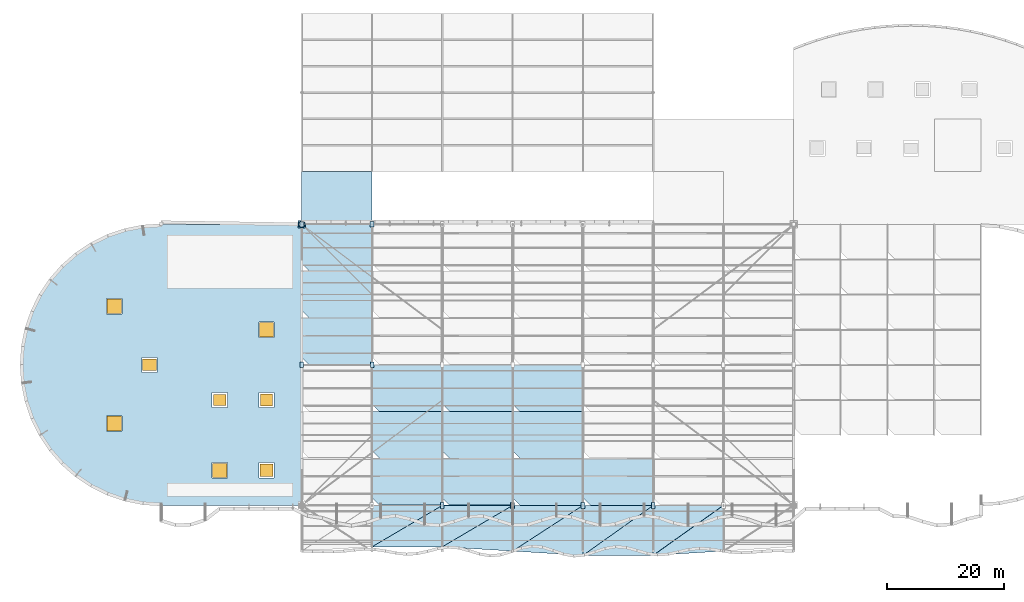
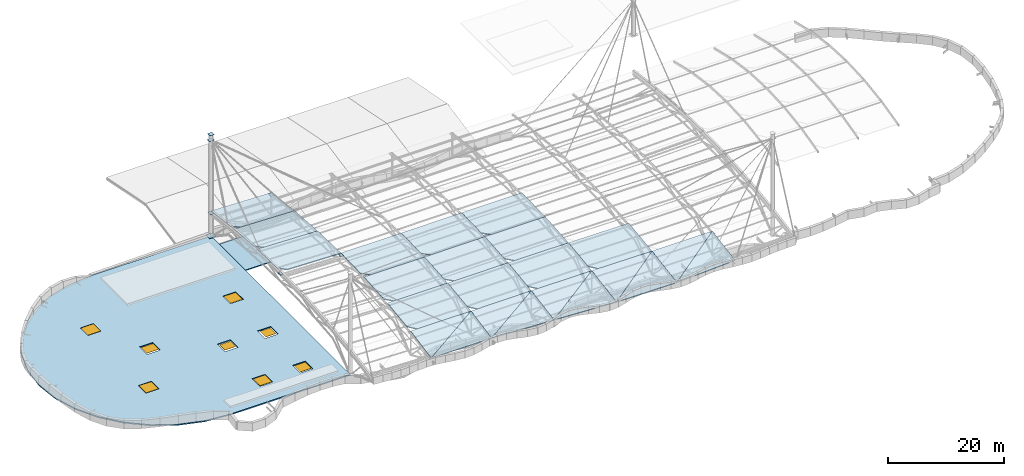
"""IFC4 building model written with IfcOpenShell, lengths in metres."""

import ifcopenshell
import ifcopenshell.guid

model = None  # the IFC model being written
_history = None  # IfcOwnerHistory: only IFC2X3 demands one
_inside = {}  # id of a spatial element -> (the spatial element, [elements in it])
_under = {}  # id of a project, library or spatial element -> (it, [spatial elements below it])
_declared = {}  # id of a project -> (the project, [libraries it declares])
_typed = {}  # id of a type object -> (the type object, [elements of that type])
_made_of = {}  # id of a material, layer set ... -> (it, [elements and type objects made of it])


def new_model(schema):
    """Start an empty IFC model of exactly this schema.

    Asked for "IFC4X3", IfcOpenShell would pick the latest addendum, in which some entities
    have other attributes; the version numbers below select the first issue.
    IFC2X3 requires an IfcOwnerHistory on every rooted entity: one is made here for all.
    """
    global model, _history
    if schema == "IFC4X3":
        model = ifcopenshell.file(schema_version=(4, 3, 0, 0))
    else:
        model = ifcopenshell.file(schema=schema)
    _inside.clear()
    _under.clear()
    _declared.clear()
    _typed.clear()
    _made_of.clear()
    _history = None
    if model.schema == "IFC2X3":
        org = make("IfcOrganization", Name="unknown")
        user = make(
            "IfcPersonAndOrganization",
            ThePerson=make("IfcPerson", FamilyName="unknown"),
            TheOrganization=org,
        )
        app = make(
            "IfcApplication",
            ApplicationDeveloper=org,
            Version="unknown",
            ApplicationFullName="unknown",
            ApplicationIdentifier="unknown",
        )
        _history = make(
            "IfcOwnerHistory",
            OwningUser=user,
            OwningApplication=app,
            ChangeAction="ADDED",
            CreationDate=0,
        )
    return model


def make(cls, **values):
    """One entity of the class cls with the attributes given. An attribute that is None is left unset."""
    return model.create_entity(
        cls, **{name: value for name, value in values.items() if value is not None}
    )


def rooted(cls, **values):
    """An entity with a GlobalId (a new one), such as an element, a storey or a relation."""
    return make(cls, GlobalId=ifcopenshell.guid.new(), OwnerHistory=_history, **values)


def si_unit(unit_type, name, prefix=None):
    """IfcSIUnit, for example si_unit("LENGTHUNIT", "METRE", prefix="MILLI")."""
    return make("IfcSIUnit", UnitType=unit_type, Prefix=prefix, Name=name)


def assignment(units):
    """IfcUnitAssignment: the units of a project."""
    return None if units is None else make("IfcUnitAssignment", Units=units)


def point(xyz):
    """IfcCartesianPoint."""
    return None if xyz is None else make("IfcCartesianPoint", Coordinates=xyz)


def direction(xyz):
    """IfcDirection."""
    return None if xyz is None else make("IfcDirection", DirectionRatios=xyz)


def frame(location, z_axis=None, x_axis=None):
    """IfcAxis2Placement3D, a coordinate frame: its origin and axes. An axis left out is left unset."""
    return make(
        "IfcAxis2Placement3D",
        Location=point(location),
        Axis=direction(z_axis),
        RefDirection=direction(x_axis),
    )


def frame_2d(location, x_axis=None):
    """IfcAxis2Placement2D, a coordinate frame in the plane: its origin and x axis."""
    return make(
        "IfcAxis2Placement2D", Location=point(location), RefDirection=direction(x_axis)
    )


def origin():
    """The frame at (0, 0, 0) with its axes left unset."""
    return frame((0.0, 0.0, 0.0))


def origin_with_axes():
    """The frame at (0, 0, 0) with the z axis (0, 0, 1) and the x axis (1, 0, 0) written out."""
    return frame((0.0, 0.0, 0.0), z_axis=(0.0, 0.0, 1.0), x_axis=(1.0, 0.0, 0.0))


def origin_2d():
    """The frame at (0, 0) in the plane with its x axis left unset."""
    return frame_2d((0.0, 0.0))


def place(relative_to, where):
    """IfcLocalPlacement: puts the frame where relative to a parent placement (None: the world)."""
    return make(
        "IfcLocalPlacement", PlacementRelTo=relative_to, RelativePlacement=where
    )


def context(
    kind, dimensions, precision=None, world=None, true_north=None, identifier=None
):
    """IfcGeometricRepresentationContext, for example the 3D "Model" context."""
    return make(
        "IfcGeometricRepresentationContext",
        ContextIdentifier=identifier,
        ContextType=kind,
        CoordinateSpaceDimension=dimensions,
        Precision=precision,
        WorldCoordinateSystem=world,
        TrueNorth=true_north,
    )


def subcontext(parent, identifier, kind, view, scale=None):
    """IfcGeometricRepresentationSubContext, for example "Body" below "Model"."""
    return make(
        "IfcGeometricRepresentationSubContext",
        ContextIdentifier=identifier,
        ContextType=kind,
        ParentContext=parent,
        TargetScale=scale,
        TargetView=view,
    )


def project(units=None, contexts=None):
    """IfcProject with its units and contexts."""
    return rooted(
        "IfcProject",
        Name="project",
        RepresentationContexts=contexts,
        UnitsInContext=assignment(units),
    )


def spatial(cls, under=None, at=None, **own):
    """A site, building, storey or space (cls), placed at a placement, below another one or the project."""
    s = rooted(cls, ObjectPlacement=at, **own)
    if under is not None:
        _under.setdefault(under.id(), (under, []))[1].append(s)
    return s


def polyline(points):
    """IfcPolyline through the points."""
    return make("IfcPolyline", Points=[point(p) for p in points])


def profile(cls, at=None, kind="AREA", **sizes):
    """A parametric profile (cls). Its sizes go by their IFC names, for example OverallWidth=200.0."""
    return make(cls, ProfileType=kind, Position=at, **sizes)


def rectangle(**sizes):
    """IfcRectangleProfileDef."""
    return profile("IfcRectangleProfileDef", **sizes)


def outline(outer, holes=None, kind="AREA"):
    """IfcArbitraryClosedProfileDef: a profile drawn as a closed curve; with holes, ...WithVoids."""
    if holes is None:
        return make("IfcArbitraryClosedProfileDef", ProfileType=kind, OuterCurve=outer)
    return make(
        "IfcArbitraryProfileDefWithVoids",
        ProfileType=kind,
        OuterCurve=outer,
        InnerCurves=holes,
    )


def extrude(swept, where, along, depth):
    """IfcExtrudedAreaSolid: the profile swept, set in the frame where, extruded along a direction by depth."""
    return make(
        "IfcExtrudedAreaSolid",
        SweptArea=swept,
        Position=where,
        ExtrudedDirection=direction(along),
        Depth=depth,
    )


def shape(context_of_items, identifier, shape_type, items):
    """IfcShapeRepresentation: the items that make up one representation, for example the "Body"."""
    return make(
        "IfcShapeRepresentation",
        ContextOfItems=context_of_items,
        RepresentationIdentifier=identifier,
        RepresentationType=shape_type,
        Items=items,
    )


def material(Name=None, Category=None):
    """IfcMaterial."""
    return make("IfcMaterial", Name=Name, Category=Category)


def layer(
    of_material, thickness, ventilated=None, Name=None, Category=None, Priority=None
):
    """IfcMaterialLayer: one layer of a wall or slab, of a material (None: an air gap)."""
    return make(
        "IfcMaterialLayer",
        Material=of_material,
        LayerThickness=thickness,
        IsVentilated=ventilated,
        Name=Name,
        Category=Category,
        Priority=Priority,
    )


def layer_set(layers, Name=None):
    """IfcMaterialLayerSet."""
    return make("IfcMaterialLayerSet", MaterialLayers=layers, LayerSetName=Name)


def made_of(thing, what):
    """Note that an element or type object is made of a material, layer set ...; save() writes the relation."""
    if what is not None:
        _made_of.setdefault(what.id(), (what, []))[1].append(thing)
    return thing


def type_object(cls, material=None, **own):
    """A type object (cls), such as IfcWallType, which elements share."""
    return made_of(rooted(cls, **own), material)


def element(
    cls,
    number,
    at=None,
    inside=None,
    cuts=None,
    type_object=None,
    material=None,
    context=None,
    identifier="Body",
    shape_type=None,
    held_by="IfcProductDefinitionShape",
    body=None,
    shapes=None,
    **own,
):
    """One element of the class cls, such as IfcWall. Its Tag is "e" and its number.

    at: its placement. inside: the storey or other place that contains it. cuts: it is an
    opening in that element (IfcRelVoidsElement). A single representation is given by context,
    identifier, shape_type and body (its items); several are given by shapes. held_by: the class
    of the entity that holds the representations. save() writes the other relations.
    """
    e = rooted(cls, Tag="e%d" % number, ObjectPlacement=at, **own)
    if body is not None:
        shapes = [shape(context, identifier, shape_type, body)]
    if shapes is not None:
        e.Representation = make(held_by, Representations=shapes)
    if inside is not None:
        _inside.setdefault(inside.id(), (inside, []))[1].append(e)
    if cuts is not None:
        rooted(
            "IfcRelVoidsElement", RelatingBuildingElement=cuts, RelatedOpeningElement=e
        )
    if type_object is not None:
        _typed.setdefault(type_object.id(), (type_object, []))[1].append(e)
    return made_of(e, material)


def fill(opening, filler):
    """IfcRelFillsElement: the door or window that sits in an opening."""
    return rooted(
        "IfcRelFillsElement",
        RelatingOpeningElement=opening,
        RelatedBuildingElement=filler,
    )


def aggregate(whole, parts):
    """IfcRelAggregates: a whole, such as a stair, and the parts it consists of."""
    return rooted("IfcRelAggregates", RelatingObject=whole, RelatedObjects=parts)


def save(model, path):
    """Write the relations noted so far, then the file.

    IfcRelAggregates (storeys below a building ...), IfcRelContainedInSpatialStructure (elements
    in a storey), IfcRelDefinesByType, IfcRelAssociatesMaterial and IfcRelDeclares: one each for
    every whole, place, type object, material and project.
    """
    for whole, parts in _under.values():
        aggregate(whole, parts)
    for where, things in _inside.values():
        rooted(
            "IfcRelContainedInSpatialStructure",
            RelatedElements=things,
            RelatingStructure=where,
        )
    for kind, things in _typed.values():
        rooted("IfcRelDefinesByType", RelatedObjects=things, RelatingType=kind)
    for what, things in _made_of.values():
        rooted("IfcRelAssociatesMaterial", RelatedObjects=things, RelatingMaterial=what)
    for by, libraries in _declared.values():
        rooted("IfcRelDeclares", RelatingContext=by, RelatedDefinitions=libraries)
    model.write(path)


model = new_model("IFC4")

# Units and contexts
model_context = context("Model", 3, precision=1e-05, world=origin(), true_north=direction((0.0, 1.0)))
body_context = subcontext(model_context, "Body", "Model", "MODEL_VIEW")
ifc_project = project(units=[si_unit("LENGTHUNIT", "METRE"), si_unit("AREAUNIT", "SQUARE_METRE"), si_unit("VOLUMEUNIT", "CUBIC_METRE"), si_unit("PLANEANGLEUNIT", "RADIAN"), si_unit("MASSUNIT", "GRAM", prefix="KILO")], contexts=[model_context])

# Site, building, storey
site_placement = place(None, origin())
site = spatial("IfcSite", under=ifc_project, at=site_placement, CompositionType="ELEMENT")
building_placement = place(site_placement, origin())
building = spatial("IfcBuilding", under=site, at=building_placement, Name="Keelwater Ferry Terminal", CompositionType="ELEMENT")
storey_1_placement = place(building_placement, frame((0.0, 0.0, 27.89990234375)))
storey_1 = spatial("IfcBuildingStorey", under=building, at=storey_1_placement, Name="RF", CompositionType="ELEMENT", Elevation=27.89990234375)

# Plates
ifc_material_1 = material(Name="Steel S355", Category="steel")
ifc_layer_1 = layer(ifc_material_1, 0.06494140625)
ifc_layer_set_1 = layer_set([ifc_layer_1], Name="Steel S355")
plate_type_1 = type_object("IfcPlateType", Name="BP1 1300x1300x65", PredefinedType="USERDEFINED", material=ifc_layer_set_1)
plate_1_placement = place(storey_1_placement, frame((48.0, 90.0, -12.900390625), z_axis=(0.0, 0.0, 1.0), x_axis=(1.0, 0.0, 0.0)))
element("IfcPlate", 1, at=plate_1_placement, inside=storey_1, type_object=plate_type_1, Name="Roof Mast ML2 Base Plate", ObjectType="GUSSET PLATE", PredefinedType="USERDEFINED", context=body_context, shape_type="SweptSolid", body=[
    extrude(rectangle(XDim=1.300048828125, YDim=1.300048828125, at=origin_2d()), origin(), (0.0, 0.0, 1.0), 0.06494140625),
])
ifc_material_2 = material(Name="Steel S355", Category="steel")
ifc_layer_2 = layer(ifc_material_2, 0.034912109375)
ifc_layer_set_2 = layer_set([ifc_layer_2], Name="Steel S355")
plate_type_2 = type_object("IfcPlateType", Name="CP1 840x840x35", PredefinedType="USERDEFINED", material=ifc_layer_set_2)
plate_2_placement = place(storey_1_placement, frame((48.0, 90.0, 8.46484375), z_axis=(0.0, 0.0, 1.0), x_axis=(1.0, 0.0, 0.0)))
element("IfcPlate", 2, at=plate_2_placement, inside=storey_1, type_object=plate_type_2, Name="Roof Mast ML2 Top Cap Plate", ObjectType="GUSSET PLATE", PredefinedType="USERDEFINED", context=body_context, shape_type="SweptSolid", body=[
    extrude(rectangle(XDim=0.840087890625, YDim=0.840087890625, at=origin_2d()), origin(), (0.0, 0.0, 1.0), 0.034912109375),
])
ifc_material_3 = material(Name="Steel S355", Category="steel")
ifc_layer_3 = layer(ifc_material_3, 0.030029296875)
ifc_layer_set_3 = layer_set([ifc_layer_3], Name="Steel S355")
plate_type_3 = type_object("IfcPlateType", Name="GP1 900x600x30", PredefinedType="USERDEFINED", material=ifc_layer_set_3)
for number, where, z_axis, x_axis, name in (
    (3, (48.0, 66.0, -6.26513671875), (0.0, 0.0, 1.0), (0.0, 1.0, 0.0), "Connection Gusset Plate 3"),
    (4, (60.0, 66.0, -6.59912109375), (0.0, 0.0, 1.0), (0.0, 1.0, 0.0), "Connection Gusset Plate 7"),
):
    element("IfcPlate", number, at=place(storey_1_placement, frame(where, z_axis=z_axis, x_axis=x_axis)), inside=storey_1, type_object=plate_type_3, Name=name, ObjectType="GUSSET PLATE", PredefinedType="USERDEFINED", context=body_context, shape_type="SweptSolid", body=[
        extrude(rectangle(XDim=0.89990234375, YDim=0.60009765625, at=origin_2d()), origin(), (0.0, 0.0, 1.0), 0.030029296875),
    ])
ifc_material_4 = material(Name="Steel S460", Category="steel")
ifc_layer_4 = layer(ifc_material_4, 0.034912109375)
ifc_layer_set_4 = layer_set([ifc_layer_4], Name="Steel S460")
plate_type_4 = type_object("IfcPlateType", Name="GP6 1100x700x35", PredefinedType="USERDEFINED", material=ifc_layer_set_4)
plate_3_placement = place(storey_1_placement, frame((48.0, 90.0, 7.28271484375), z_axis=(0.0, 0.0, 1.0), x_axis=(1.0, 0.0, 0.0)))
element("IfcPlate", 5, at=plate_3_placement, inside=storey_1, type_object=plate_type_4, Name="Roof Mast ML2 Stay Cable Collar Plate", ObjectType="GUSSET PLATE", PredefinedType="USERDEFINED", context=body_context, shape_type="SweptSolid", body=[
    extrude(rectangle(XDim=1.10009765625, YDim=0.699951171875, at=origin_2d()), origin(), (0.0, 0.0, 1.0), 0.034912109375),
])
ifc_material_5 = material(Name="Steel S460", Category="steel")
ifc_layer_5 = layer(ifc_material_5, 0.031982421875)
ifc_layer_set_5 = layer_set([ifc_layer_5], Name="Steel S460")
plate_type_5 = type_object("IfcPlateType", Name="GP7 960x640x32", PredefinedType="USERDEFINED", material=ifc_layer_set_5)
for number, where, z_axis, x_axis, name in (
    (6, (48.0, 90.0, -8.11572265625), (0.0, 0.0, 1.0), (0.0, 1.0, 0.0), "Connection Gusset Plate 4"),
    (7, (60.0, 90.0, -8.44970703125), (0.0, 0.0, 1.0), (0.0, 1.0, 0.0), "Connection Gusset Plate 8"),
    (8, (72.0, 42.0, -8.4638671875), (0.0, 0.0, 1.0), (0.0, 1.0, 0.0), "Connection Gusset Plate 10"),
    (9, (84.0, 42.0, -8.380859375), (0.0, 0.0, 1.0), (0.0, 1.0, 0.0), "Connection Gusset Plate 14"),
    (10, (96.0, 42.0, -8.380859375), (0.0, 0.0, 1.0), (0.0, 1.0, 0.0), "Connection Gusset Plate 18"),
    (11, (108.0, 42.0, -8.4638671875), (0.0, 0.0, 1.0), (0.0, 1.0, 0.0), "Connection Gusset Plate 22"),
):
    element("IfcPlate", number, at=place(storey_1_placement, frame(where, z_axis=z_axis, x_axis=x_axis)), inside=storey_1, type_object=plate_type_5, Name=name, ObjectType="GUSSET PLATE", PredefinedType="USERDEFINED", context=body_context, shape_type="SweptSolid", body=[
        extrude(rectangle(XDim=0.9599609375, YDim=0.639892578125, at=origin_2d()), origin(), (0.0, 0.0, 1.0), 0.031982421875),
    ])

# Slabs
ifc_material_6 = material(Name="Concrete C40/50", Category="concrete")
ifc_layer_6 = layer(ifc_material_6, 0.179931640625)
ifc_layer_set_6 = layer_set([ifc_layer_6], Name="Concrete C40/50")
slab_type_1 = type_object("IfcSlabType", Name="SL-R180 Roof Slab 180", PredefinedType="ROOF", material=ifc_layer_set_6)
slab_1_placement = place(storey_1_placement, frame((59.9997792810321, 34.970945086877116, -9.557575174320423), z_axis=(0.0012262164883360305, -0.19413937153953703, 0.98097319066902), x_axis=(0.9999992481962792, 0.0002380570773891715, -0.001202886405348432)))
element("IfcSlab", 12, at=slab_1_placement, inside=storey_1, type_object=slab_type_1, Name="V1 Saddle Wave Eave Roof Facet SL-RF-072", PredefinedType="ROOF", context=body_context, shape_type="SweptSolid", body=[
    extrude(outline(polyline([(0.0, 0.0), (12.00000902165143, -0.00291209276241465), (12.00000902165143, 7.1980947812795755), (0.0, 0.0)])), origin_with_axes(), (0.0, 0.0, 1.0), 0.18),
])
slab_2_placement = place(storey_1_placement, frame((59.99979399005788, 34.970921034922874, -9.557579950390238), z_axis=(0.0011444996784552193, -0.19400574957150854, 0.9809997243902178), x_axis=(0.9999993450600285, 0.00022203966342570616, -0.0011227546044661316)))
element("IfcSlab", 13, at=slab_2_placement, inside=storey_1, type_object=slab_type_1, Name="V1 Saddle Wave Eave Roof Facet SL-RF-073", PredefinedType="ROOF", context=body_context, shape_type="SweptSolid", body=[
    extrude(outline(polyline([(0.0, 0.0), (12.000007859284805, 7.198096719071156), (2.168404344971009e-19, 7.200812801344028), (0.0, 0.0)])), origin_with_axes(), (0.0, 0.0, 1.0), 0.18),
])
slab_3_placement = place(storey_1_placement, frame((72.00317265110219, 34.967750585142305, -9.573149187489257), z_axis=(-0.017625839456641357, -0.17639213967947667, 0.9841621527181101), x_axis=(0.999844652825352, -0.003109542594060348, 0.017349379280165035)))
element("IfcSlab", 14, at=slab_3_placement, inside=storey_1, type_object=slab_type_1, Name="V1 Saddle Wave Eave Roof Facet SL-RF-080", PredefinedType="ROOF", context=body_context, shape_type="SweptSolid", body=[
    extrude(outline(polyline([(0.0, 0.0), (12.001864455733706, -0.7098130642611912), (12.001864455733706, 7.214478954588188), (0.0, 0.0)])), origin_with_axes(), (0.0, 0.0, 1.0), 0.18),
])
slab_4_placement = place(storey_1_placement, frame((72.00122128442865, 34.97094430878969, -9.572571242696974), z_axis=(-0.006784913492522635, -0.19413504883161495, 0.980951348316544), x_axis=(0.9999769822095402, -0.0013172198316792401, 0.00665582324104589)))
element("IfcSlab", 15, at=slab_4_placement, inside=storey_1, type_object=slab_type_1, Name="V1 Saddle Wave Eave Roof Facet SL-RF-081", PredefinedType="ROOF", context=body_context, shape_type="SweptSolid", body=[
    extrude(outline(polyline([(0.0, 0.0), (12.00027621984349, 7.2171204539940215), (0.0, 7.201006874041991), (0.0, 0.0)])), origin_with_axes(), (0.0, 0.0, 1.0), 0.18),
])
slab_5_placement = place(storey_1_placement, frame((84.00178423778011, 34.229090833371316, -9.490624716493247), z_axis=(-0.009912432111707939, -0.16161574095175923, 0.9868039805180382), x_axis=(0.9999508706379682, -0.0016020837697212176, 0.009782108053176194)))
element("IfcSlab", 16, at=slab_5_placement, inside=storey_1, type_object=slab_type_1, Name="V1 Saddle Wave Eave Roof Facet SL-RF-088", PredefinedType="ROOF", context=body_context, shape_type="SweptSolid", body=[
    extrude(outline(polyline([(0.0, 0.0), (12.000589581310134, -0.7263234134672125), (12.000589581310134, 7.923399125435409), (0.0, 0.0)])), origin_with_axes(), (0.0, 0.0, 1.0), 0.18),
])
slab_6_placement = place(storey_1_placement, frame((84.0, 34.23175551827235, -9.490176711390788), z_axis=(0.0, -0.17641954595749393, 0.9843150632821545), x_axis=(1.0, 0.0, 0.0)))
element("IfcSlab", 17, at=slab_6_placement, inside=storey_1, type_object=slab_type_1, Name="V1 Saddle Wave Eave Roof Facet SL-RF-089", PredefinedType="ROOF", context=body_context, shape_type="SweptSolid", body=[
    extrude(outline(polyline([(0.0, 0.0), (12.0, 7.924292018849378), (0.0, 7.924292018849378), (0.0, 0.0)])), origin_with_axes(), (0.0, 0.0, 1.0), 0.18),
])
slab_7_placement = place(storey_1_placement, frame((95.9987713973027, 33.49309158496655, -9.490629305632673), z_axis=(0.006825570540514702, -0.16161991648083876, 0.9868294757370816), x_axis=(0.9999767055220818, 0.0011031738385506816, -0.006735831105771546)))
element("IfcSlab", 18, at=slab_7_placement, inside=storey_1, type_object=slab_type_1, Name="V1 Saddle Wave Eave Roof Facet SL-RF-096", PredefinedType="ROOF", context=body_context, shape_type="SweptSolid", body=[
    extrude(outline(polyline([(0.0, 0.0), (12.000279540246762, -0.013414765557869423), (12.000279540246762, 8.636307773344752), (0.0, 0.0)])), origin_with_axes(), (0.0, 0.0, 1.0), 0.18),
])
slab_8_placement = place(storey_1_placement, frame((95.9987713973027, 33.49309158496655, -9.490629305632673), z_axis=(0.006825570540514683, -0.16161991648083876, 0.9868294757370816), x_axis=(0.9999767055220818, 0.0011031738385506786, -0.006735831105771527)))
element("IfcSlab", 19, at=slab_8_placement, inside=storey_1, type_object=slab_type_1, Name="V1 Saddle Wave Eave Roof Facet SL-RF-097", PredefinedType="ROOF", context=body_context, shape_type="SweptSolid", body=[
    extrude(outline(polyline([(0.0, 0.0), (12.000279540246762, 8.636307773344752), (0.0, 8.64972253890262), (0.0, 0.0)])), origin_with_axes(), (0.0, 0.0, 1.0), 0.18),
])
slab_9_placement = place(storey_1_placement, frame((107.99827523308468, 33.49573205270495, -9.57317252047148), z_axis=(0.009582038418415024, -0.17628918169420282, 0.9842917803971221), x_axis=(0.9999540912160658, 0.0016892872648688437, -0.009431954664264107)))
element("IfcSlab", 20, at=slab_9_placement, inside=storey_1, type_object=slab_type_1, Name="V1 Saddle Wave Eave Roof Facet SL-RF-104", PredefinedType="ROOF", context=body_context, shape_type="SweptSolid", body=[
    extrude(outline(polyline([(0.0, 0.0), (12.00055093069977, 0.7271164691305748), (12.00055093069977, 8.651232129568651), (0.0, 0.0)])), origin_with_axes(), (0.0, 0.0, 1.0), 0.18),
])
slab_10_placement = place(storey_1_placement, frame((108.00020723888008, 33.49309224337393, -9.57363332577959), z_axis=(-0.0011513271115343292, -0.16162357429961294, 0.9868518098866211), x_axis=(0.9999993372227215, -0.00018608172628496757, 0.0011361899968301027)))
element("IfcSlab", 21, at=slab_10_placement, inside=storey_1, type_object=slab_type_1, Name="V1 Saddle Wave Eave Roof Facet SL-RF-105", PredefinedType="ROOF", context=body_context, shape_type="SweptSolid", body=[
    extrude(outline(polyline([(0.0, 0.0), (12.000007953332613, 8.651985270442506), (-2.168404344971009e-19, 8.649722538902623), (0.0, 0.0)])), origin_with_axes(), (0.0, 0.0, 1.0), 0.18),
])
slab_11_placement = place(storey_1_placement, frame((0.0, 0.0, -22.679931640625)))
element("IfcSlab", 22, at=slab_11_placement, inside=storey_1, type_object=slab_type_1, Name="V6 Cycle Hub Roof Slab SL-RF-154", PredefinedType="ROOF", context=body_context, shape_type="SweptSolid", body=[
    extrude(outline(polyline([(48.0, 90.0), (60.0, 90.0), (60.0, 99.0), (48.0, 99.0), (48.0, 90.0)])), origin(), (0.0, 0.0, 1.0), 0.179931640625),
])
ifc_material_7 = material(Name="Concrete C40/50", Category="concrete")
ifc_layer_7 = layer(ifc_material_7, 0.199951171875)
ifc_layer_set_7 = layer_set([ifc_layer_7], Name="Concrete C40/50")
slab_type_2 = type_object("IfcSlabType", Name="SL-R200 Roof Slab 200", PredefinedType="ROOF", material=ifc_layer_set_7)
slab_12_placement = place(storey_1_placement, frame((49.29443373923926, 65.99484938778495, -6.035856168118357), z_axis=(0.02783130380368714, 0.025753061075207362, 0.9992808405917947), x_axis=(0.9996126342381768, -0.0007170190152761002, -0.027822065975496194)))
element("IfcSlab", 23, at=slab_12_placement, inside=storey_1, type_object=slab_type_2, Name="V1 Saddle Cable-Net Coffered Roof Panel SL-RF-069", PredefinedType="ROOF", context=body_context, shape_type="SweptSolid", body=[
    extrude(outline(polyline([(0.0, 0.0), (10.704146162009192, 0.00767738615694934), (10.704141355477935, 8.010329194787257), (-1.3005028254160014, 8.001724339161683), (-1.3005120154274123, 1.2994912119894195), (0.0, 0.0)])), origin_with_axes(), (0.0, 0.0, 1.0), 0.2),
])
slab_13_placement = place(storey_1_placement, frame((49.2944675940869, 73.9846500868413, -6.241333320473103), z_axis=(0.027662029565464877, 0.07674956579352506, 0.9966666023655176), x_axis=(0.9996173328430832, -0.0021238614901552045, -0.027580375125282268)))
element("IfcSlab", 24, at=slab_13_placement, inside=storey_1, type_object=slab_type_2, Name="V1 Saddle Cable-Net Coffered Roof Panel SL-RF-070", PredefinedType="ROOF", context=body_context, shape_type="SweptSolid", body=[
    extrude(outline(polyline([(0.0, 0.0), (10.704096832833203, 0.02280334713269244), (10.704095451989135, 8.04648429776303), (-1.300496807044583, 8.020916908553648), (-1.300498408625189, 1.3010764345060795), (0.0, 0.0)])), origin_with_axes(), (0.0, 0.0, 1.0), 0.2),
])
slab_14_placement = place(storey_1_placement, frame((49.294479789323965, 81.9745173534768, -6.856293121414396), z_axis=(0.027601053380168397, 0.12741323261599385, 0.9914656070719992), x_axis=(0.9996190183526447, -0.0035180797585958163, -0.02737592487035029)))
element("IfcSlab", 25, at=slab_14_placement, inside=storey_1, type_object=slab_type_2, Name="V1 Saddle Cable-Net Coffered Roof Panel SL-RF-071", PredefinedType="ROOF", context=body_context, shape_type="SweptSolid", body=[
    extrude(outline(polyline([(0.0, 0.0), (10.704081521984664, 0.03798361437954522), (10.704079334682618, 8.103762187692844), (-1.3004924444558141, 8.06118994875738), (-1.3004919813865938, 1.306094020517829), (0.0, 0.0)])), origin_with_axes(), (0.0, 0.0, 1.0), 0.2),
])
slab_15_placement = place(storey_1_placement, frame((61.299770860495876, 42.025495095109804, -8.184368212222697), z_axis=(0.0011456975205991278, -0.12747547554902613, 0.9918410611134937), x_axis=(0.9999993436883803, 0.00014604843212699702, -0.0011363505903462343)))
element("IfcSlab", 26, at=slab_15_placement, inside=storey_1, type_object=slab_type_2, Name="V1 Saddle Cable-Net Coffered Roof Panel SL-RF-074", PredefinedType="ROOF", context=body_context, shape_type="SweptSolid", body=[
    extrude(outline(polyline([(0.0, 0.0), (10.700006613672755, -0.0015297067105526604), (10.700006832722895, 8.064248864725995), (-1.300001200445932, 8.066033522554973), (-1.3000013270828947, 1.3109375951989004), (0.0, 0.0)])), origin_with_axes(), (0.0, 0.0, 1.0), 0.2),
])
slab_16_placement = place(storey_1_placement, frame((61.29977092595461, 50.015385244474594, -7.157407225991282), z_axis=(0.0011453702269227357, -0.07692622237296523, 0.9970361299564166), x_axis=(0.9999993440633066, 8.81090625695992e-05, -0.001141976247482471)))
element("IfcSlab", 27, at=slab_16_placement, inside=storey_1, type_object=slab_type_2, Name="V1 Saddle Cable-Net Coffered Roof Panel SL-RF-075", PredefinedType="ROOF", context=body_context, shape_type="SweptSolid", body=[
    extrude(outline(polyline([(0.0, 0.0), (10.700006685192353, -0.0009231152739807983), (10.700006958348212, 8.022834666658621), (-1.3000011580789308, 8.023911634478265), (-1.3000010870781986, 1.30399429896309), (0.0, 0.0)])), origin_with_axes(), (0.0, 0.0, 1.0), 0.2),
])
slab_17_placement = place(storey_1_placement, frame((61.29977061930798, 58.00512956165522, -6.540934076589565), z_axis=(0.0011469034600818256, -0.0256478082760909, 0.9996703829478426), x_axis=(0.9999993423060104, 2.9415579401813713e-05, -0.0011465261752075788)))
element("IfcSlab", 28, at=slab_17_placement, inside=storey_1, type_object=slab_type_2, Name="V1 Saddle Cable-Net Coffered Roof Panel SL-RF-076", PredefinedType="ROOF", context=body_context, shape_type="SweptSolid", body=[
    extrude(outline(polyline([(0.0, 0.0), (10.700006720988416, -0.00030777390173414776), (10.700007007757714, 8.002318353656712), (-1.3000011512808642, 8.002677423208734), (-1.3000010331607206, 1.3004700264331759), (0.0, 0.0)])), origin_with_axes(), (0.0, 0.0, 1.0), 0.2),
])
slab_18_placement = place(storey_1_placement, frame((73.30137228128025, 42.025489999625414, -8.187364252735172), z_axis=(-0.006861406401248345, -0.12744999812708566, 0.9918212636758716), x_axis=(0.9999764602740391, -0.0008745068186391368, 0.006805448965883546)))
element("IfcSlab", 29, at=slab_18_placement, inside=storey_1, type_object=slab_type_2, Name="V1 Saddle Cable-Net Coffered Roof Panel SL-RF-082", PredefinedType="ROOF", context=body_context, shape_type="SweptSolid", body=[
    extrude(outline(polyline([(0.0, 0.0), (10.700251728155695, 0.009431521876844467), (10.70025167514351, 8.075210095575748), (-1.3000307004091256, 8.064631496713881), (-1.3000309962838692, 1.3095355685911303), (0.0, 0.0)])), origin_with_axes(), (0.0, 0.0, 1.0), 0.2),
])
slab_19_placement = place(storey_1_placement, frame((73.30138073264999, 50.01538030462936, -7.160402958370373), z_axis=(-0.006903663249983923, -0.07690152314679985, 0.9970147918518727), x_axis=(0.9999761694329173, -0.0005309148712188038, 0.006883218409196187)))
element("IfcSlab", 30, at=slab_19_placement, inside=storey_1, type_object=slab_type_2, Name="V1 Saddle Cable-Net Coffered Roof Panel SL-RF-083", PredefinedType="ROOF", context=body_context, shape_type="SweptSolid", body=[
    extrude(outline(polyline([(0.0, 0.0), (10.7002543710945, 0.005690848329006174), (10.700253997883223, 8.02944863362372), (-1.3000313424397487, 8.023065655092537), (-1.300032836720137, 1.303148322777315), (0.0, 0.0)])), origin_with_axes(), (0.0, 0.0, 1.0), 0.2),
])
slab_20_placement = place(storey_1_placement, frame((73.3013675671982, 58.00512380749691, -6.543929678528958), z_axis=(-0.006837835991026176, -0.02561903748453219, 0.9996483926447969), x_axis=(0.999976621726208, -0.00017518287204032913, 0.006835591561929123)))
element("IfcSlab", 31, at=slab_20_placement, inside=storey_1, type_object=slab_type_2, Name="V1 Saddle Cable-Net Coffered Roof Panel SL-RF-084", PredefinedType="ROOF", context=body_context, shape_type="SweptSolid", body=[
    extrude(outline(polyline([(0.0, 0.0), (10.70024885065445, 0.001870233459200724), (10.700248683948322, 8.00449636488666), (-1.3000312952742523, 8.002395554699612), (-1.3000332917802337, 1.300188163492729), (0.0, 0.0)])), origin_with_axes(), (0.0, 0.0, 1.0), 0.2),
])
slab_21_placement = place(storey_1_placement, frame((85.30000029624817, 42.0254906761442, -8.11336891245763), z_axis=(-1.4812408750951134e-06, -0.12745338072099804, 0.9918445622881613), x_axis=(0.999999999998903, -1.887891571932089e-07, 1.4691607074036575e-06)))
element("IfcSlab", 32, at=slab_21_placement, inside=storey_1, type_object=slab_type_2, Name="V1 Saddle Cable-Net Coffered Roof Panel SL-RF-090", PredefinedType="ROOF", context=body_context, shape_type="SweptSolid", body=[
    extrude(outline(polyline([(0.0, 0.0), (10.699999999988265, 0.0), (10.699999999972214, 8.065778573695326), (-1.3000000000146212, 8.065778573695326), (-1.300000000074637, 1.3106826455564518), (0.0, 0.0)])), origin_with_axes(), (0.0, 0.0, 1.0), 0.2),
])
slab_22_placement = place(storey_1_placement, frame((85.30000059560494, 50.01535509013033, -7.086409681827973), z_axis=(-2.978024752772265e-06, -0.07677545065163233, 0.9970484091398824), x_axis=(0.9999999999955657, -2.2863919244682046e-07, 2.969234842143945e-06)))
element("IfcSlab", 33, at=slab_22_placement, inside=storey_1, type_object=slab_type_2, Name="V1 Saddle Cable-Net Coffered Roof Panel SL-RF-091", PredefinedType="ROOF", context=body_context, shape_type="SweptSolid", body=[
    extrude(outline(polyline([(0.0, 0.0), (10.699999999952555, 0.0), (10.699999999887678, 8.023680950756043), (-1.3000000000591092, 8.023680950756043), (-1.3000000003016983, 1.303840476952789), (0.0, 0.0)])), origin_with_axes(), (0.0, 0.0, 1.0), 0.2),
])
slab_23_placement = place(storey_1_placement, frame((85.30000283655725, 58.00515088553487, -6.470933659922885), z_axis=(-1.4182786300373457e-05, -0.025754427674332652, 0.9996682996144352), x_axis=(0.9999999998994243, -3.652695440302214e-07, 1.417808186611521e-05)))
element("IfcSlab", 34, at=slab_23_placement, inside=storey_1, type_object=slab_type_2, Name="V1 Saddle Cable-Net Coffered Roof Panel SL-RF-092", PredefinedType="ROOF", context=body_context, shape_type="SweptSolid", body=[
    extrude(outline(polyline([(0.0, 0.0), (10.699999998923843, -5.664532834763135e-22), (10.699999997452355, 8.002651809821266), (-1.3000000013407367, 8.002651809821266), (-1.3000000068429545, 1.3004186857428062), (0.0, 0.0)])), origin_with_axes(), (0.0, 0.0, 1.0), 0.2),
])
slab_24_placement = place(storey_1_placement, frame((97.29862831131021, 42.02549015309412, -8.122364237112883), z_axis=(0.006858443448925408, -0.12745076547059522, 0.9918211855644229), x_axis=(0.9999764806001479, 0.0008741344266194365, -0.00680250950358076)))
element("IfcSlab", 35, at=slab_24_placement, inside=storey_1, type_object=slab_type_2, Name="V1 Saddle Cable-Net Coffered Roof Panel SL-RF-098", PredefinedType="ROOF", context=body_context, shape_type="SweptSolid", body=[
    extrude(outline(polyline([(0.0, 0.0), (10.70025172812485, -0.009431578469889068), (10.700251823768125, 8.05634699522066), (-1.3000305517224473, 8.066925657558508), (-1.3000302916982143, 1.311829729404516), (0.0, 0.0)])), origin_with_axes(), (0.0, 0.0, 1.0), 0.2),
])

# Slab, openings
ifc_material_8 = material(Name="Concrete C40/50", Category="concrete")
ifc_layer_8 = layer(ifc_material_8, 0.239990234375)
ifc_layer_set_8 = layer_set([ifc_layer_8], Name="Concrete C40/50")
slab_type_3 = type_object("IfcSlabType", Name="SL-R240 Roof Slab 240", PredefinedType="ROOF", material=ifc_layer_set_8)
slab_25_placement = place(storey_1_placement, frame((0.0, 0.0, -13.139892578125)))
slab_25 = element("IfcSlab", 36, at=slab_25_placement, inside=storey_1, type_object=slab_type_3, Name="V4 West Semicircular Overhanging Roof Slab SL-RF-046", PredefinedType="ROOF", context=body_context, shape_type="SweptSolid", body=[
    extrude(outline(polyline([(24.0, 90.0), (19.318115234375, 89.5390625), (14.81591796875, 88.173095703125), (10.666015625, 85.955078125), (7.029052734375, 82.970947265625), (4.044921875, 79.333984375), (1.826904296875, 75.18408203125), (0.4609375, 70.681884765625), (0.0, 66.0), (0.4609375, 61.318115234375), (1.826904296875, 56.81591796875), (4.044921875, 52.666015625), (7.029052734375, 49.029052734375), (10.666015625, 46.044921875), (14.81591796875, 43.826904296875), (19.318115234375, 42.4609375), (24.0, 42.0), (48.0, 42.0), (48.0, 90.0), (24.0, 90.0)]), holes=[polyline([(14.699951171875, 54.699951171875), (17.300048828125, 54.699951171875), (17.300048828125, 57.300048828125), (14.699951171875, 57.300048828125), (14.699951171875, 54.699951171875)]), polyline([(32.699951171875, 46.699951171875), (35.300048828125, 46.699951171875), (35.300048828125, 49.300048828125), (32.699951171875, 49.300048828125), (32.699951171875, 46.699951171875)]), polyline([(40.699951171875, 46.699951171875), (43.300048828125, 46.699951171875), (43.300048828125, 49.300048828125), (40.699951171875, 49.300048828125), (40.699951171875, 46.699951171875)]), polyline([(20.699951171875, 64.699951171875), (23.300048828125, 64.699951171875), (23.300048828125, 67.300048828125), (20.699951171875, 67.300048828125), (20.699951171875, 64.699951171875)]), polyline([(32.699951171875, 58.699951171875), (35.300048828125, 58.699951171875), (35.300048828125, 61.300048828125), (32.699951171875, 61.300048828125), (32.699951171875, 58.699951171875)]), polyline([(40.699951171875, 58.699951171875), (43.300048828125, 58.699951171875), (43.300048828125, 61.300048828125), (40.699951171875, 61.300048828125), (40.699951171875, 58.699951171875)]), polyline([(14.699951171875, 74.699951171875), (17.300048828125, 74.699951171875), (17.300048828125, 77.300048828125), (14.699951171875, 77.300048828125), (14.699951171875, 74.699951171875)]), polyline([(40.699951171875, 70.699951171875), (43.300048828125, 70.699951171875), (43.300048828125, 73.300048828125), (40.699951171875, 73.300048828125), (40.699951171875, 70.699951171875)])]), origin(), (0.0, 0.0, 1.0), 0.239990234375),
])
opening_1_placement = place(slab_25_placement, frame((16.0, 56.0, 0.0)))
opening_1 = element("IfcOpeningElement", 37, at=opening_1_placement, cuts=slab_25, Name="Opening SK-01", PredefinedType="OPENING", context=body_context, shape_type="SweptSolid", body=[
    extrude(rectangle(XDim=2.5, YDim=2.5, at=origin_2d()), origin(), (0.0, 0.0, 1.0), 0.239990234375),
])
opening_2_placement = place(slab_25_placement, frame((34.0, 48.0, 0.0)))
opening_2 = element("IfcOpeningElement", 38, at=opening_2_placement, cuts=slab_25, Name="Opening SK-02", PredefinedType="OPENING", context=body_context, shape_type="SweptSolid", body=[
    extrude(rectangle(XDim=2.39990234375, YDim=2.39990234375, at=origin_2d()), origin(), (0.0, 0.0, 1.0), 0.239990234375),
])
opening_3_placement = place(slab_25_placement, frame((42.0, 48.0, 0.0)))
opening_3 = element("IfcOpeningElement", 39, at=opening_3_placement, cuts=slab_25, Name="Opening SK-03", PredefinedType="OPENING", context=body_context, shape_type="SweptSolid", body=[
    extrude(rectangle(XDim=2.199951171875, YDim=2.199951171875, at=origin_2d()), origin(), (0.0, 0.0, 1.0), 0.239990234375),
])
opening_4_placement = place(slab_25_placement, frame((22.0, 66.0, 0.0)))
opening_4 = element("IfcOpeningElement", 40, at=opening_4_placement, cuts=slab_25, Name="Opening SK-04", PredefinedType="OPENING", context=body_context, shape_type="SweptSolid", body=[
    extrude(rectangle(XDim=2.39990234375, YDim=2.0, at=origin_2d()), origin(), (0.0, 0.0, 1.0), 0.239990234375),
])
opening_5_placement = place(slab_25_placement, frame((34.0, 60.0, 0.0)))
opening_5 = element("IfcOpeningElement", 41, at=opening_5_placement, cuts=slab_25, Name="Opening SK-05", PredefinedType="OPENING", context=body_context, shape_type="SweptSolid", body=[
    extrude(rectangle(XDim=2.199951171875, YDim=1.800048828125, at=origin_2d()), origin(), (0.0, 0.0, 1.0), 0.239990234375),
])
opening_6_placement = place(slab_25_placement, frame((42.0, 60.0, 0.0)))
opening_6 = element("IfcOpeningElement", 42, at=opening_6_placement, cuts=slab_25, Name="Opening SK-06", PredefinedType="OPENING", context=body_context, shape_type="SweptSolid", body=[
    extrude(rectangle(XDim=2.0, YDim=2.0, at=origin_2d()), origin(), (0.0, 0.0, 1.0), 0.239990234375),
])
opening_7_placement = place(slab_25_placement, frame((16.0, 76.0, 0.0)))
opening_7 = element("IfcOpeningElement", 43, at=opening_7_placement, cuts=slab_25, Name="Opening SK-01", PredefinedType="OPENING", context=body_context, shape_type="SweptSolid", body=[
    extrude(rectangle(XDim=2.5, YDim=2.5, at=origin_2d()), origin(), (0.0, 0.0, 1.0), 0.239990234375),
])
opening_8_placement = place(slab_25_placement, frame((42.0, 72.0, 0.0)))
opening_8 = element("IfcOpeningElement", 44, at=opening_8_placement, cuts=slab_25, Name="Opening SK-02", PredefinedType="OPENING", context=body_context, shape_type="SweptSolid", body=[
    extrude(rectangle(XDim=2.39990234375, YDim=2.39990234375, at=origin_2d()), origin(), (0.0, 0.0, 1.0), 0.239990234375),
])

# Storey
storey_2_placement = place(building_placement, frame((0.0, 0.0, 10.199951171875)))
storey_2 = spatial("IfcBuildingStorey", under=building, at=storey_2_placement, Name="L02", CompositionType="ELEMENT", Elevation=10.199951171875)

# Window
ifc_material_9 = material(Name="Triple laminated safety skylight glass", Category="glass")
window_type_1 = type_object("IfcWindowType", Name="SK-01 Roof Skylight 2500x2500", PartitioningType="SINGLE_PANEL", PredefinedType="SKYLIGHT", material=ifc_material_9)
window_1_placement = place(opening_1_placement, frame((0.0, 0.0, 0.18994140625)))
window_1 = element("IfcWindow", 45, at=window_1_placement, inside=storey_2, type_object=window_type_1, Name="Roof Skylight SK-01", OverallHeight=2.5, OverallWidth=2.5, PartitioningType="SINGLE_PANEL", PredefinedType="SKYLIGHT", context=body_context, shape_type="SweptSolid", body=[
    extrude(rectangle(XDim=2.5, YDim=2.5, at=origin_2d()), origin(), (0.0, 0.0, 1.0), 0.050048828125),
])

fill(opening_1, window_1)

window_2_placement = place(opening_7_placement, frame((0.0, 0.0, 0.18994140625)))
window_2 = element("IfcWindow", 46, at=window_2_placement, inside=storey_2, type_object=window_type_1, Name="Roof Skylight SK-07", OverallHeight=2.5, OverallWidth=2.5, PartitioningType="SINGLE_PANEL", PredefinedType="SKYLIGHT", context=body_context, shape_type="SweptSolid", body=[
    extrude(rectangle(XDim=2.5, YDim=2.5, at=origin_2d()), origin(), (0.0, 0.0, 1.0), 0.050048828125),
])

fill(opening_7, window_2)

ifc_material_10 = material(Name="Triple laminated safety skylight glass", Category="glass")
window_type_2 = type_object("IfcWindowType", Name="SK-02 Roof Skylight 2400x2400", PartitioningType="SINGLE_PANEL", PredefinedType="SKYLIGHT", material=ifc_material_10)
window_3_placement = place(opening_2_placement, frame((0.0, 0.0, 0.18994140625)))
window_3 = element("IfcWindow", 47, at=window_3_placement, inside=storey_2, type_object=window_type_2, Name="Roof Skylight SK-02", OverallHeight=2.39990234375, OverallWidth=2.39990234375, PartitioningType="SINGLE_PANEL", PredefinedType="SKYLIGHT", context=body_context, shape_type="SweptSolid", body=[
    extrude(rectangle(XDim=2.39990234375, YDim=2.39990234375, at=origin_2d()), origin(), (0.0, 0.0, 1.0), 0.050048828125),
])

fill(opening_2, window_3)

window_4_placement = place(opening_8_placement, frame((0.0, 0.0, 0.18994140625)))
window_4 = element("IfcWindow", 48, at=window_4_placement, inside=storey_2, type_object=window_type_2, Name="Roof Skylight SK-08", OverallHeight=2.39990234375, OverallWidth=2.39990234375, PartitioningType="SINGLE_PANEL", PredefinedType="SKYLIGHT", context=body_context, shape_type="SweptSolid", body=[
    extrude(rectangle(XDim=2.39990234375, YDim=2.39990234375, at=origin_2d()), origin(), (0.0, 0.0, 1.0), 0.050048828125),
])

fill(opening_8, window_4)

ifc_material_11 = material(Name="Triple laminated safety skylight glass", Category="glass")
window_type_3 = type_object("IfcWindowType", Name="SK-03 Roof Skylight 2200x2200", PartitioningType="SINGLE_PANEL", PredefinedType="SKYLIGHT", material=ifc_material_11)
window_5_placement = place(opening_3_placement, frame((0.0, 0.0, 0.18994140625)))
window_5 = element("IfcWindow", 49, at=window_5_placement, inside=storey_2, type_object=window_type_3, Name="Roof Skylight SK-03", OverallHeight=2.199951171875, OverallWidth=2.199951171875, PartitioningType="SINGLE_PANEL", PredefinedType="SKYLIGHT", context=body_context, shape_type="SweptSolid", body=[
    extrude(rectangle(XDim=2.199951171875, YDim=2.199951171875, at=origin_2d()), origin(), (0.0, 0.0, 1.0), 0.050048828125),
])

fill(opening_3, window_5)

ifc_material_12 = material(Name="Triple laminated safety skylight glass", Category="glass")
window_type_4 = type_object("IfcWindowType", Name="SK-04 Roof Skylight 2400x2000", PartitioningType="SINGLE_PANEL", PredefinedType="SKYLIGHT", material=ifc_material_12)
window_6_placement = place(opening_4_placement, frame((0.0, 0.0, 0.18994140625)))
window_6 = element("IfcWindow", 50, at=window_6_placement, inside=storey_2, type_object=window_type_4, Name="Roof Skylight SK-04", OverallHeight=2.0, OverallWidth=2.39990234375, PartitioningType="SINGLE_PANEL", PredefinedType="SKYLIGHT", context=body_context, shape_type="SweptSolid", body=[
    extrude(rectangle(XDim=2.39990234375, YDim=2.0, at=origin_2d()), origin(), (0.0, 0.0, 1.0), 0.050048828125),
])

fill(opening_4, window_6)

ifc_material_13 = material(Name="Triple laminated safety skylight glass", Category="glass")
window_type_5 = type_object("IfcWindowType", Name="SK-05 Roof Skylight 2200x1800", PartitioningType="SINGLE_PANEL", PredefinedType="SKYLIGHT", material=ifc_material_13)
window_7_placement = place(opening_5_placement, frame((0.0, 0.0, 0.18994140625)))
window_7 = element("IfcWindow", 51, at=window_7_placement, inside=storey_2, type_object=window_type_5, Name="Roof Skylight SK-05", OverallHeight=1.800048828125, OverallWidth=2.199951171875, PartitioningType="SINGLE_PANEL", PredefinedType="SKYLIGHT", context=body_context, shape_type="SweptSolid", body=[
    extrude(rectangle(XDim=2.199951171875, YDim=1.800048828125, at=origin_2d()), origin(), (0.0, 0.0, 1.0), 0.050048828125),
])

fill(opening_5, window_7)

ifc_material_14 = material(Name="Triple laminated safety skylight glass", Category="glass")
window_type_6 = type_object("IfcWindowType", Name="SK-06 Roof Skylight 2000x2000", PartitioningType="SINGLE_PANEL", PredefinedType="SKYLIGHT", material=ifc_material_14)
window_8_placement = place(opening_6_placement, frame((0.0, 0.0, 0.18994140625)))
window_8 = element("IfcWindow", 52, at=window_8_placement, inside=storey_2, type_object=window_type_6, Name="Roof Skylight SK-06", OverallHeight=2.0, OverallWidth=2.0, PartitioningType="SINGLE_PANEL", PredefinedType="SKYLIGHT", context=body_context, shape_type="SweptSolid", body=[
    extrude(rectangle(XDim=2.0, YDim=2.0, at=origin_2d()), origin(), (0.0, 0.0, 1.0), 0.050048828125),
])

fill(opening_6, window_8)

save(model, "model.ifc")
